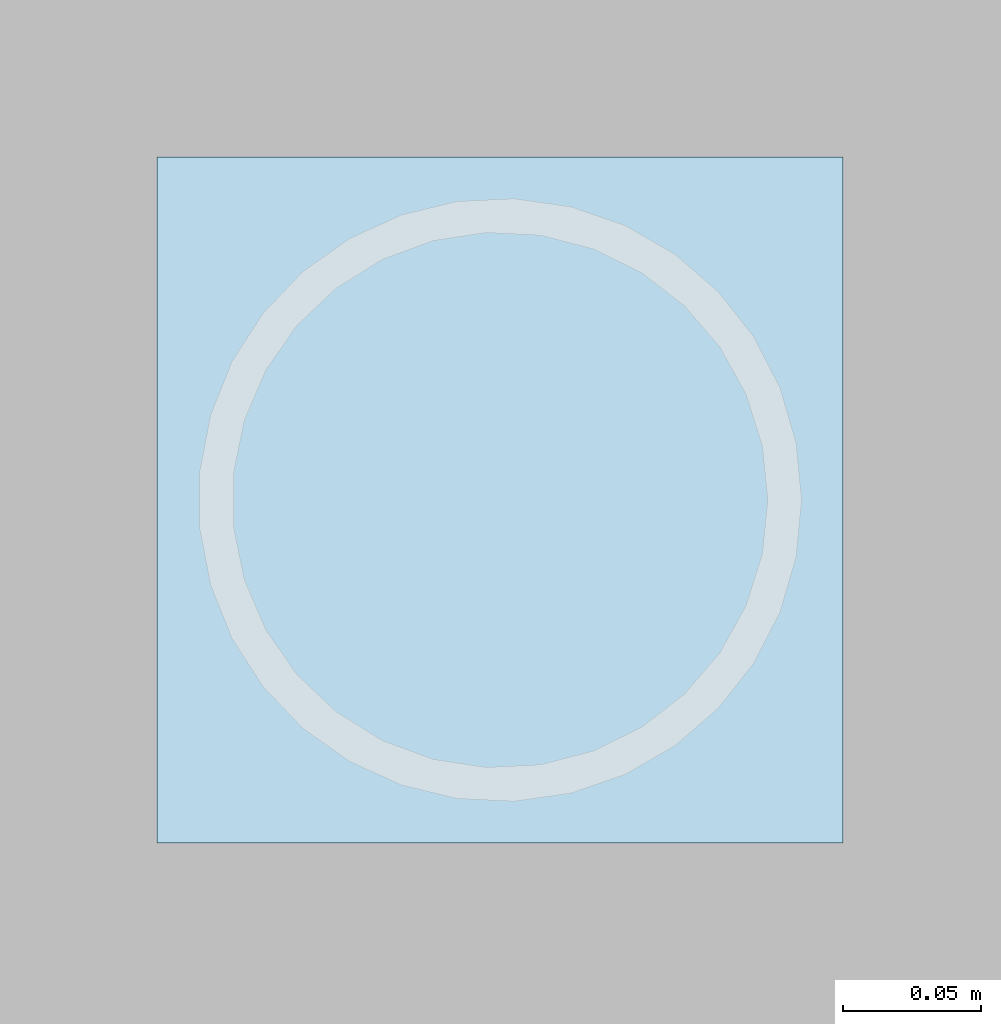
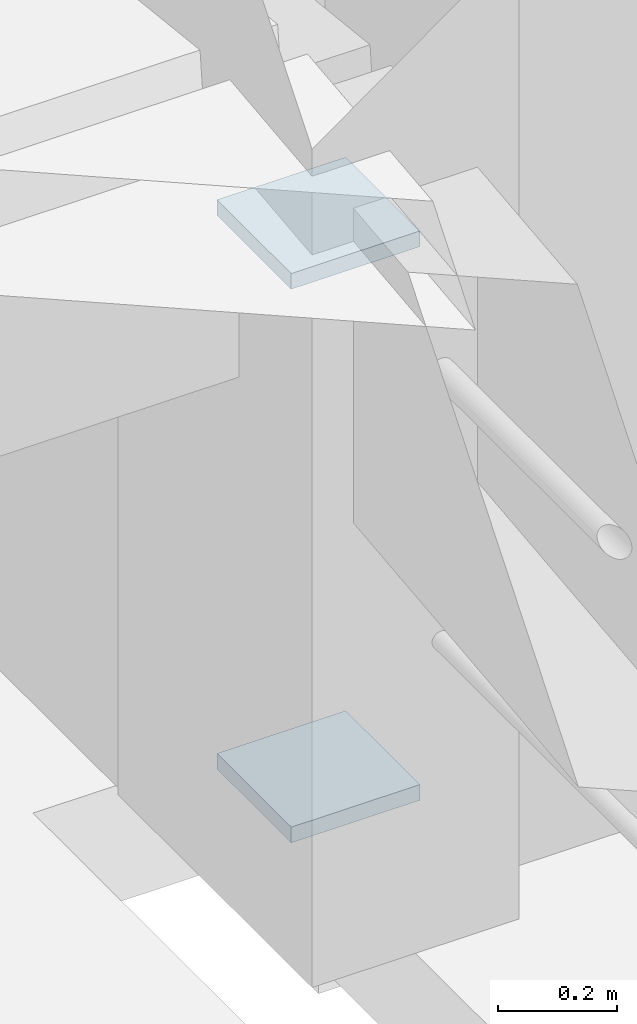
# One storey, part 113 of 139: 2 plates.
"""IFC4 building model written with IfcOpenShell, lengths in metres."""

import ifcopenshell
import ifcopenshell.guid

model = None  # the IFC model being written
_history = None  # IfcOwnerHistory: only IFC2X3 demands one
_inside = {}  # id of a spatial element -> (the spatial element, [elements in it])
_under = {}  # id of a project, library or spatial element -> (it, [spatial elements below it])
_declared = {}  # id of a project -> (the project, [libraries it declares])
_typed = {}  # id of a type object -> (the type object, [elements of that type])
_made_of = {}  # id of a material, layer set ... -> (it, [elements and type objects made of it])


def new_model(schema):
    """Start an empty IFC model of exactly this schema.

    Asked for "IFC4X3", IfcOpenShell would pick the latest addendum, in which some entities
    have other attributes; the version numbers below select the first issue.
    IFC2X3 requires an IfcOwnerHistory on every rooted entity: one is made here for all.
    """
    global model, _history
    if schema == "IFC4X3":
        model = ifcopenshell.file(schema_version=(4, 3, 0, 0))
    else:
        model = ifcopenshell.file(schema=schema)
    _inside.clear()
    _under.clear()
    _declared.clear()
    _typed.clear()
    _made_of.clear()
    _history = None
    if model.schema == "IFC2X3":
        org = make("IfcOrganization", Name="unknown")
        user = make(
            "IfcPersonAndOrganization",
            ThePerson=make("IfcPerson", FamilyName="unknown"),
            TheOrganization=org,
        )
        app = make(
            "IfcApplication",
            ApplicationDeveloper=org,
            Version="unknown",
            ApplicationFullName="unknown",
            ApplicationIdentifier="unknown",
        )
        _history = make(
            "IfcOwnerHistory",
            OwningUser=user,
            OwningApplication=app,
            ChangeAction="ADDED",
            CreationDate=0,
        )
    return model


def make(cls, **values):
    """One entity of the class cls with the attributes given. An attribute that is None is left unset."""
    return model.create_entity(
        cls, **{name: value for name, value in values.items() if value is not None}
    )


def rooted(cls, **values):
    """An entity with a GlobalId (a new one), such as an element, a storey or a relation."""
    return make(cls, GlobalId=ifcopenshell.guid.new(), OwnerHistory=_history, **values)


def si_unit(unit_type, name, prefix=None):
    """IfcSIUnit, for example si_unit("LENGTHUNIT", "METRE", prefix="MILLI")."""
    return make("IfcSIUnit", UnitType=unit_type, Prefix=prefix, Name=name)


def assignment(units):
    """IfcUnitAssignment: the units of a project."""
    return None if units is None else make("IfcUnitAssignment", Units=units)


def point(xyz):
    """IfcCartesianPoint."""
    return None if xyz is None else make("IfcCartesianPoint", Coordinates=xyz)


def direction(xyz):
    """IfcDirection."""
    return None if xyz is None else make("IfcDirection", DirectionRatios=xyz)


def frame(location, z_axis=None, x_axis=None):
    """IfcAxis2Placement3D, a coordinate frame: its origin and axes. An axis left out is left unset."""
    return make(
        "IfcAxis2Placement3D",
        Location=point(location),
        Axis=direction(z_axis),
        RefDirection=direction(x_axis),
    )


def frame_2d(location, x_axis=None):
    """IfcAxis2Placement2D, a coordinate frame in the plane: its origin and x axis."""
    return make(
        "IfcAxis2Placement2D", Location=point(location), RefDirection=direction(x_axis)
    )


def origin():
    """The frame at (0, 0, 0) with its axes left unset."""
    return frame((0.0, 0.0, 0.0))


def origin_2d():
    """The frame at (0, 0) in the plane with its x axis left unset."""
    return frame_2d((0.0, 0.0))


def place(relative_to, where):
    """IfcLocalPlacement: puts the frame where relative to a parent placement (None: the world)."""
    return make(
        "IfcLocalPlacement", PlacementRelTo=relative_to, RelativePlacement=where
    )


def context(
    kind, dimensions, precision=None, world=None, true_north=None, identifier=None
):
    """IfcGeometricRepresentationContext, for example the 3D "Model" context."""
    return make(
        "IfcGeometricRepresentationContext",
        ContextIdentifier=identifier,
        ContextType=kind,
        CoordinateSpaceDimension=dimensions,
        Precision=precision,
        WorldCoordinateSystem=world,
        TrueNorth=true_north,
    )


def subcontext(parent, identifier, kind, view, scale=None):
    """IfcGeometricRepresentationSubContext, for example "Body" below "Model"."""
    return make(
        "IfcGeometricRepresentationSubContext",
        ContextIdentifier=identifier,
        ContextType=kind,
        ParentContext=parent,
        TargetScale=scale,
        TargetView=view,
    )


def project(units=None, contexts=None):
    """IfcProject with its units and contexts."""
    return rooted(
        "IfcProject",
        Name="project",
        RepresentationContexts=contexts,
        UnitsInContext=assignment(units),
    )


def spatial(cls, under=None, at=None, **own):
    """A site, building, storey or space (cls), placed at a placement, below another one or the project."""
    s = rooted(cls, ObjectPlacement=at, **own)
    if under is not None:
        _under.setdefault(under.id(), (under, []))[1].append(s)
    return s


def profile(cls, at=None, kind="AREA", **sizes):
    """A parametric profile (cls). Its sizes go by their IFC names, for example OverallWidth=200.0."""
    return make(cls, ProfileType=kind, Position=at, **sizes)


def rectangle(**sizes):
    """IfcRectangleProfileDef."""
    return profile("IfcRectangleProfileDef", **sizes)


def extrude(swept, where, along, depth):
    """IfcExtrudedAreaSolid: the profile swept, set in the frame where, extruded along a direction by depth."""
    return make(
        "IfcExtrudedAreaSolid",
        SweptArea=swept,
        Position=where,
        ExtrudedDirection=direction(along),
        Depth=depth,
    )


def shape(context_of_items, identifier, shape_type, items):
    """IfcShapeRepresentation: the items that make up one representation, for example the "Body"."""
    return make(
        "IfcShapeRepresentation",
        ContextOfItems=context_of_items,
        RepresentationIdentifier=identifier,
        RepresentationType=shape_type,
        Items=items,
    )


def material(Name=None, Category=None):
    """IfcMaterial."""
    return make("IfcMaterial", Name=Name, Category=Category)


def layer(
    of_material, thickness, ventilated=None, Name=None, Category=None, Priority=None
):
    """IfcMaterialLayer: one layer of a wall or slab, of a material (None: an air gap)."""
    return make(
        "IfcMaterialLayer",
        Material=of_material,
        LayerThickness=thickness,
        IsVentilated=ventilated,
        Name=Name,
        Category=Category,
        Priority=Priority,
    )


def layer_set(layers, Name=None):
    """IfcMaterialLayerSet."""
    return make("IfcMaterialLayerSet", MaterialLayers=layers, LayerSetName=Name)


def made_of(thing, what):
    """Note that an element or type object is made of a material, layer set ...; save() writes the relation."""
    if what is not None:
        _made_of.setdefault(what.id(), (what, []))[1].append(thing)
    return thing


def type_object(cls, material=None, **own):
    """A type object (cls), such as IfcWallType, which elements share."""
    return made_of(rooted(cls, **own), material)


def element(
    cls,
    number,
    at=None,
    inside=None,
    cuts=None,
    type_object=None,
    material=None,
    context=None,
    identifier="Body",
    shape_type=None,
    held_by="IfcProductDefinitionShape",
    body=None,
    shapes=None,
    **own,
):
    """One element of the class cls, such as IfcWall. Its Tag is "e" and its number.

    at: its placement. inside: the storey or other place that contains it. cuts: it is an
    opening in that element (IfcRelVoidsElement). A single representation is given by context,
    identifier, shape_type and body (its items); several are given by shapes. held_by: the class
    of the entity that holds the representations. save() writes the other relations.
    """
    e = rooted(cls, Tag="e%d" % number, ObjectPlacement=at, **own)
    if body is not None:
        shapes = [shape(context, identifier, shape_type, body)]
    if shapes is not None:
        e.Representation = make(held_by, Representations=shapes)
    if inside is not None:
        _inside.setdefault(inside.id(), (inside, []))[1].append(e)
    if cuts is not None:
        rooted(
            "IfcRelVoidsElement", RelatingBuildingElement=cuts, RelatedOpeningElement=e
        )
    if type_object is not None:
        _typed.setdefault(type_object.id(), (type_object, []))[1].append(e)
    return made_of(e, material)


def aggregate(whole, parts):
    """IfcRelAggregates: a whole, such as a stair, and the parts it consists of."""
    return rooted("IfcRelAggregates", RelatingObject=whole, RelatedObjects=parts)


def save(model, path):
    """Write the relations noted so far, then the file.

    IfcRelAggregates (storeys below a building ...), IfcRelContainedInSpatialStructure (elements
    in a storey), IfcRelDefinesByType, IfcRelAssociatesMaterial and IfcRelDeclares: one each for
    every whole, place, type object, material and project.
    """
    for whole, parts in _under.values():
        aggregate(whole, parts)
    for where, things in _inside.values():
        rooted(
            "IfcRelContainedInSpatialStructure",
            RelatedElements=things,
            RelatingStructure=where,
        )
    for kind, things in _typed.values():
        rooted("IfcRelDefinesByType", RelatedObjects=things, RelatingType=kind)
    for what, things in _made_of.values():
        rooted("IfcRelAssociatesMaterial", RelatedObjects=things, RelatingMaterial=what)
    for by, libraries in _declared.values():
        rooted("IfcRelDeclares", RelatingContext=by, RelatedDefinitions=libraries)
    model.write(path)


model = new_model("IFC4")

# Units and contexts
model_context = context("Model", 3, precision=1e-05, world=origin(), true_north=direction((0.0, 1.0)))
body_context = subcontext(model_context, "Body", "Model", "MODEL_VIEW")
ifc_project = project(units=[si_unit("LENGTHUNIT", "METRE"), si_unit("AREAUNIT", "SQUARE_METRE"), si_unit("VOLUMEUNIT", "CUBIC_METRE"), si_unit("PLANEANGLEUNIT", "RADIAN"), si_unit("MASSUNIT", "GRAM", prefix="KILO"), si_unit("THERMODYNAMICTEMPERATUREUNIT", "KELVIN"), si_unit("POWERUNIT", "WATT")], contexts=[model_context])

# Site, building, storey
site_placement = place(None, origin())
site = spatial("IfcSite", under=ifc_project, at=site_placement, CompositionType="ELEMENT")
building_placement = place(site_placement, origin())
building = spatial("IfcBuilding", under=site, at=building_placement, Name="Korenveer Ferry Terminal", CompositionType="ELEMENT")
storey_placement = place(building_placement, frame((0.0, 0.0, 5.39990234375)))
storey = spatial("IfcBuildingStorey", under=building, at=storey_placement, Name="L01", CompositionType="ELEMENT", Elevation=5.39990234375)

# Plates
ifc_material = material(Name="Steel S355", Category="steel")
ifc_layer = layer(ifc_material, 0.031982421875)
ifc_layer_set = layer_set([ifc_layer], Name="Steel S355")
plate_type = type_object("IfcPlateType", Name="STR-PLT-CAP32", PredefinedType="USERDEFINED", material=ifc_layer_set)
for number, where, z_axis, x_axis, name in (
    (1, (146.0, 10.0, 0.14794921875), (0.0, 0.0, 1.0), (1.0, 0.0, 0.0), "Hollow section end cap 532"),
    (2, (146.0, 10.0, 1.2802734375), (0.0, 0.0, 1.0), (1.0, 0.0, 0.0), "Hollow section end cap 533"),
):
    element("IfcPlate", number, at=place(storey_placement, frame(where, z_axis=z_axis, x_axis=x_axis)), inside=storey, type_object=plate_type, Name=name, ObjectType="END CAP PLATE", PredefinedType="USERDEFINED", context=body_context, shape_type="SweptSolid", body=[
        extrude(rectangle(XDim=0.2490234375, YDim=0.2490234375, at=origin_2d()), origin(), (0.0, 0.0, 1.0), 0.031982421875),
    ])

save(model, "model.ifc")
